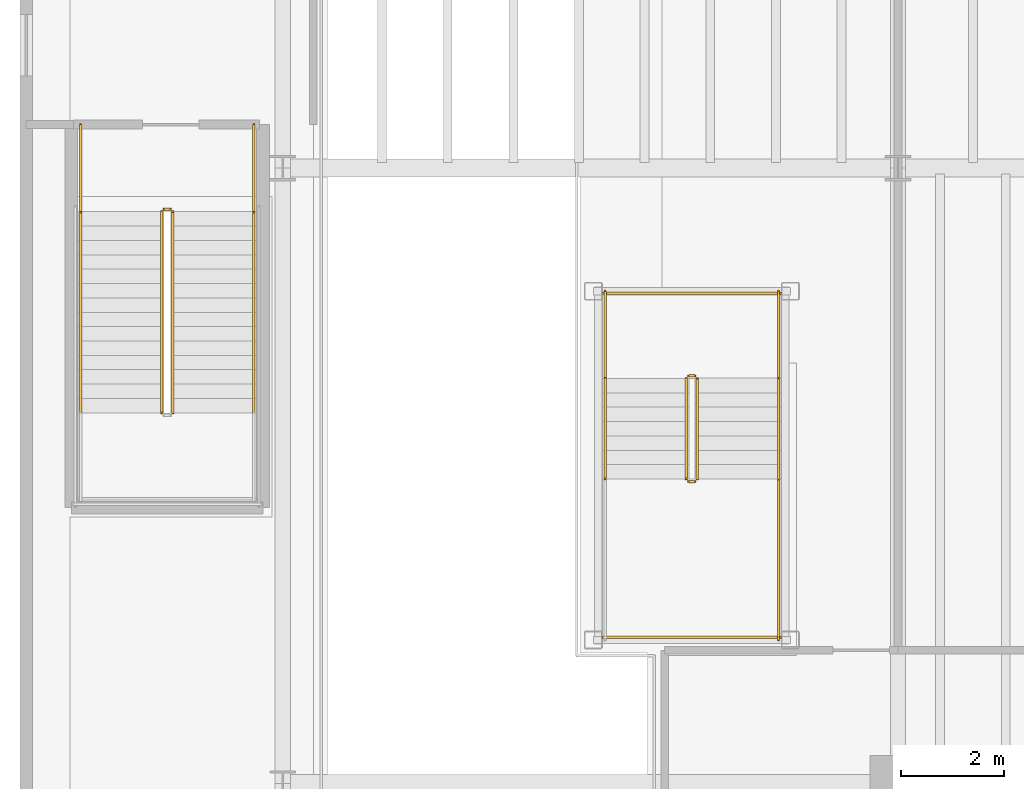
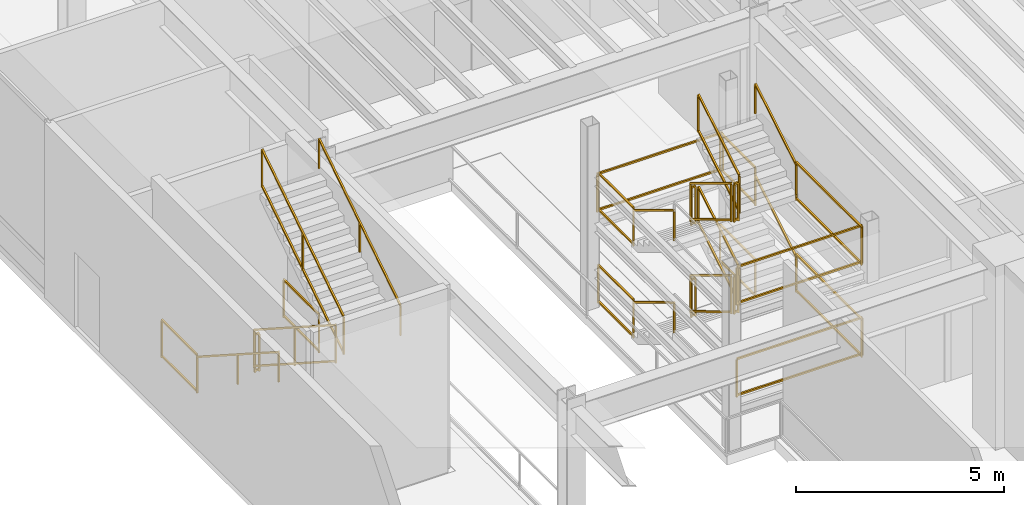
# One storey, part 14 of 17: 28 railings.
"""IFC4 building model written with IfcOpenShell, lengths in metres."""

from ifc_helpers import new_model, si_unit, direction, frame, origin, origin_2d, place, context, subcontext, project, spatial, rectangle, extrude, material, layer, layer_set, type_object, element, save


model = new_model("IFC4")

# Units and contexts
model_context = context("Model", 3, precision=1e-05, world=origin(), true_north=direction((0.0, 1.0)))
body_context = subcontext(model_context, "Body", "Model", "MODEL_VIEW")
ifc_project = project(units=[si_unit("LENGTHUNIT", "METRE"), si_unit("AREAUNIT", "SQUARE_METRE"), si_unit("VOLUMEUNIT", "CUBIC_METRE"), si_unit("PLANEANGLEUNIT", "RADIAN"), si_unit("MASSUNIT", "GRAM", prefix="KILO")], contexts=[model_context])

# Site, building, storey
site_placement = place(None, origin())
site = spatial("IfcSite", under=ifc_project, at=site_placement, CompositionType="ELEMENT")
building_placement = place(site_placement, origin())
building = spatial("IfcBuilding", under=site, at=building_placement, Name="Brelvock Crest Care Tower", CompositionType="ELEMENT")
storey_placement = place(building_placement, origin())
storey = spatial("IfcBuildingStorey", under=building, at=storey_placement, Name="L00", CompositionType="ELEMENT", Elevation=0.0)

# Railings
ifc_material = material(Name="Steel Grade 350", Category="steel")
ifc_layer_1 = layer(ifc_material, 0.050048828125, Name="RL-STG1")
ifc_layer_set_1 = layer_set([ifc_layer_1], Name="Steel Grade 350")
railing_type_1 = type_object("IfcRailingType", Name="RL-STG1", PredefinedType="GUARDRAIL", material=ifc_layer_set_1)
railing_1_placement = place(storey_placement, frame((9.639892578125, 29.14990234375, 0.179931640625)))
element("IfcRailing", 1, at=railing_1_placement, inside=storey, type_object=railing_type_1, Name="L00 ST-3 stair guard 1", PredefinedType="GUARDRAIL", context=body_context, shape_type="SweptSolid", body=[
    extrude(rectangle(XDim=0.048095703125, YDim=0.048095703125, at=origin_2d()), frame((0.0, -0.001708984375, 1.116943359375), z_axis=(0.0, -0.841171666519, 0.540768182723), x_axis=(1.0, 0.0, 0.0)), (0.0, 0.0, 1.0), 4.656005859375),
    extrude(rectangle(XDim=0.048095703125, YDim=0.048095703125, at=origin_2d()), frame((0.0, -0.001708984375, 0.05615234375), z_axis=(0.0, -0.841171666519, 0.540768182723), x_axis=(1.0, 0.0, 0.0)), (0.0, 0.0, 1.0), 4.656005859375),
    extrude(rectangle(XDim=0.0419921875, YDim=0.0419921875, at=origin_2d()), origin(), (0.0, 0.0, 1.0), 1.08984375),
    extrude(rectangle(XDim=0.0419921875, YDim=0.0419921875, at=origin_2d()), frame((0.0, -1.9599609375, 1.260009765625)), (0.0, 0.0, 1.0), 1.08984375),
    extrude(rectangle(XDim=0.0419921875, YDim=0.0419921875, at=origin_2d()), frame((0.0, -3.919921875, 2.52001953125)), (0.0, 0.0, 1.0), 1.08984375),
])
railing_2_placement = place(storey_placement, frame((9.860107421875, 25.22998046875, 2.8798828125)))
element("IfcRailing", 2, at=railing_2_placement, inside=storey, type_object=railing_type_1, Name="L00 ST-3 stair guard 6", PredefinedType="GUARDRAIL", context=body_context, shape_type="SweptSolid", body=[
    extrude(rectangle(XDim=0.048095703125, YDim=0.048095703125, at=origin_2d()), frame((0.0, 0.001708984375, 1.116943359375), z_axis=(0.0, 0.841171666519, 0.540768182723), x_axis=(-1.0, 0.0, 0.0)), (0.0, 0.0, 1.0), 4.656005859375),
    extrude(rectangle(XDim=0.048095703125, YDim=0.048095703125, at=origin_2d()), frame((0.0, 0.001708984375, 0.05615234375), z_axis=(0.0, 0.841171666519, 0.540768182723), x_axis=(-1.0, 0.0, 0.0)), (0.0, 0.0, 1.0), 4.656005859375),
    extrude(rectangle(XDim=0.0419921875, YDim=0.0419921875, at=origin_2d()), origin(), (0.0, 0.0, 1.0), 1.08984375),
    extrude(rectangle(XDim=0.0419921875, YDim=0.0419921875, at=origin_2d()), frame((0.0, 1.9599609375, 1.260009765625)), (0.0, 0.0, 1.0), 1.08984375),
    extrude(rectangle(XDim=0.0419921875, YDim=0.0419921875, at=origin_2d()), frame((0.0, 3.919921875, 2.52001953125)), (0.0, 0.0, 1.0), 1.08984375),
])
railing_3_placement = place(storey_placement, frame((9.68994140625, 29.199951171875, 0.0)))
element("IfcRailing", 3, at=railing_3_placement, inside=storey, type_object=railing_type_1, Name="L00 ST-3 stair guard 7", PredefinedType="GUARDRAIL", context=body_context, shape_type="SweptSolid", body=[
    extrude(rectangle(XDim=0.048095703125, YDim=0.048095703125, at=origin_2d()), frame((0.001953125, 0.0, 1.11572265625), z_axis=(1.0, 0.0, 0.0), x_axis=(0.0, 1.0, 0.0)), (0.0, 0.0, 1.0), 0.1162109375),
    extrude(rectangle(XDim=0.048095703125, YDim=0.048095703125, at=origin_2d()), frame((0.001953125, 0.0, 0.054931640625), z_axis=(1.0, 0.0, 0.0), x_axis=(0.0, 1.0, 0.0)), (0.0, 0.0, 1.0), 0.1162109375),
    extrude(rectangle(XDim=0.0419921875, YDim=0.0419921875, at=origin_2d()), origin(), (0.0, 0.0, 1.0), 1.08984375),
    extrude(rectangle(XDim=0.0419921875, YDim=0.0419921875, at=origin_2d()), frame((0.1201171875, 0.0, 0.0)), (0.0, 0.0, 1.0), 1.08984375),
])
for number, where, name in (
    (4, (8.06005859375, 30.85009765625, 0.0), "L00 ST-3 stair guard 8"),
    (5, (11.43994140625, 30.85009765625, 0.0), "L00 ST-3 stair guard 9"),
):
    element("IfcRailing", number, at=place(storey_placement, frame(where)), inside=storey, type_object=railing_type_1, Name=name, PredefinedType="GUARDRAIL", context=body_context, shape_type="SweptSolid", body=[
        extrude(rectangle(XDim=0.048095703125, YDim=0.048095703125, at=origin_2d()), frame((0.0, -0.001953125, 1.11572265625), z_axis=(0.0, -1.0, 0.0), x_axis=(1.0, 0.0, 0.0)), (0.0, 0.0, 1.0), 1.6962890625),
        extrude(rectangle(XDim=0.048095703125, YDim=0.048095703125, at=origin_2d()), frame((0.0, -0.001953125, 0.054931640625), z_axis=(0.0, -1.0, 0.0), x_axis=(1.0, 0.0, 0.0)), (0.0, 0.0, 1.0), 1.6962890625),
        extrude(rectangle(XDim=0.0419921875, YDim=0.0419921875, at=origin_2d()), origin(), (0.0, 0.0, 1.0), 1.08984375),
        extrude(rectangle(XDim=0.0419921875, YDim=0.0419921875, at=origin_2d()), frame((0.0, -1.7001953125, 0.0)), (0.0, 0.0, 1.0), 1.08984375),
    ])
railing_4_placement = place(storey_placement, frame((19.8701171875, 25.89990234375, 0.168701171875)))
element("IfcRailing", 6, at=railing_4_placement, inside=storey, type_object=railing_type_1, Name="L00 ST-5 stair guard 1", PredefinedType="GUARDRAIL", context=body_context, shape_type="SweptSolid", body=[
    extrude(rectangle(XDim=0.048095703125, YDim=0.048095703125, at=origin_2d()), frame((0.0, -0.001708984375, 1.116943359375), z_axis=(0.0, -0.856446297458, 0.516236127728), x_axis=(1.0, 0.0, 0.0)), (0.0, 0.0, 1.0), 2.284423828125),
    extrude(rectangle(XDim=0.048095703125, YDim=0.048095703125, at=origin_2d()), frame((0.0, -0.001708984375, 0.05615234375), z_axis=(0.0, -0.856446297458, 0.516236127728), x_axis=(1.0, 0.0, 0.0)), (0.0, 0.0, 1.0), 2.284423828125),
    extrude(rectangle(XDim=0.0419921875, YDim=0.0419921875, at=origin_2d()), origin(), (0.0, 0.0, 1.0), 1.08984375),
    extrude(rectangle(XDim=0.0419921875, YDim=0.0419921875, at=origin_2d()), frame((0.0, -1.9599609375, 1.181396484375)), (0.0, 0.0, 1.0), 1.08984375),
])
railing_5_placement = place(storey_placement, frame((19.919921875, 23.889892578125, 1.35009765625)))
element("IfcRailing", 7, at=railing_5_placement, inside=storey, type_object=railing_type_1, Name="L00 ST-5 stair guard 2", PredefinedType="GUARDRAIL", context=body_context, shape_type="SweptSolid", body=[
    extrude(rectangle(XDim=0.048095703125, YDim=0.048095703125, at=origin_2d()), frame((0.001953125, 0.0, 1.11572265625), z_axis=(1.0, 0.0, 0.0), x_axis=(0.0, 1.0, 0.0)), (0.0, 0.0, 1.0), 0.1162109375),
    extrude(rectangle(XDim=0.048095703125, YDim=0.048095703125, at=origin_2d()), frame((0.001953125, 0.0, 0.054931640625), z_axis=(1.0, 0.0, 0.0), x_axis=(0.0, 1.0, 0.0)), (0.0, 0.0, 1.0), 0.1162109375),
    extrude(rectangle(XDim=0.0419921875, YDim=0.0419921875, at=origin_2d()), origin(), (0.0, 0.0, 1.0), 1.08984375),
    extrude(rectangle(XDim=0.0419921875, YDim=0.0419921875, at=origin_2d()), frame((0.1201171875, 0.0, 0.0)), (0.0, 0.0, 1.0), 1.08984375),
])
railing_6_placement = place(storey_placement, frame((21.669921875, 23.93994140625, 1.35009765625)))
element("IfcRailing", 8, at=railing_6_placement, inside=storey, type_object=railing_type_1, Name="L00 ST-5 stair guard 4", PredefinedType="GUARDRAIL", context=body_context, shape_type="SweptSolid", body=[
    extrude(rectangle(XDim=0.048095703125, YDim=0.048095703125, at=origin_2d()), frame((0.0, -0.001953125, 1.11572265625), z_axis=(0.0, -1.0, 0.0), x_axis=(1.0, 0.0, 0.0)), (0.0, 0.0, 1.0), 3.135986328125),
    extrude(rectangle(XDim=0.048095703125, YDim=0.048095703125, at=origin_2d()), frame((0.0, -0.001953125, 0.054931640625), z_axis=(0.0, -1.0, 0.0), x_axis=(1.0, 0.0, 0.0)), (0.0, 0.0, 1.0), 3.135986328125),
    extrude(rectangle(XDim=0.0419921875, YDim=0.0419921875, at=origin_2d()), origin(), (0.0, 0.0, 1.0), 1.08984375),
    extrude(rectangle(XDim=0.0419921875, YDim=0.0419921875, at=origin_2d()), frame((0.0, -3.139892578125, 0.0)), (0.0, 0.0, 1.0), 1.08984375),
])
railing_7_placement = place(storey_placement, frame((18.239990234375, 20.85009765625, 1.35009765625)))
element("IfcRailing", 9, at=railing_7_placement, inside=storey, type_object=railing_type_1, Name="L00 ST-5 stair guard 5", PredefinedType="GUARDRAIL", context=body_context, shape_type="SweptSolid", body=[
    extrude(rectangle(XDim=0.048095703125, YDim=0.048095703125, at=origin_2d()), frame((0.001953125, 0.0, 1.11572265625), z_axis=(1.0, 0.0, 0.0), x_axis=(0.0, 1.0, 0.0)), (0.0, 0.0, 1.0), 3.47607421875),
    extrude(rectangle(XDim=0.048095703125, YDim=0.048095703125, at=origin_2d()), frame((0.001953125, 0.0, 0.054931640625), z_axis=(1.0, 0.0, 0.0), x_axis=(0.0, 1.0, 0.0)), (0.0, 0.0, 1.0), 3.47607421875),
    extrude(rectangle(XDim=0.0419921875, YDim=0.0419921875, at=origin_2d()), origin(), (0.0, 0.0, 1.0), 1.08984375),
    extrude(rectangle(XDim=0.0419921875, YDim=0.0419921875, at=origin_2d()), frame((3.47998046875, 0.0, 0.0)), (0.0, 0.0, 1.0), 1.08984375),
])
railing_8_placement = place(storey_placement, frame((20.090087890625, 23.93994140625, 1.518798828125)))
element("IfcRailing", 10, at=railing_8_placement, inside=storey, type_object=railing_type_1, Name="L00 ST-5 stair guard 6", PredefinedType="GUARDRAIL", context=body_context, shape_type="SweptSolid", body=[
    extrude(rectangle(XDim=0.048095703125, YDim=0.048095703125, at=origin_2d()), frame((0.0, 0.001708984375, 1.116943359375), z_axis=(0.0, 0.856493463811, 0.516157869696), x_axis=(-1.0, 0.0, 0.0)), (0.0, 0.0, 1.0), 2.284423828125),
    extrude(rectangle(XDim=0.048095703125, YDim=0.048095703125, at=origin_2d()), frame((0.0, 0.001708984375, 0.05615234375), z_axis=(0.0, 0.856493463811, 0.516157869696), x_axis=(-1.0, 0.0, 0.0)), (0.0, 0.0, 1.0), 2.284423828125),
    extrude(rectangle(XDim=0.0419921875, YDim=0.0419921875, at=origin_2d()), origin(), (0.0, 0.0, 1.0), 1.08984375),
    extrude(rectangle(XDim=0.0419921875, YDim=0.0419921875, at=origin_2d()), frame((0.0, 1.9599609375, 1.18115234375)), (0.0, 0.0, 1.0), 1.08984375),
])
railing_9_placement = place(storey_placement, frame((19.919921875, 25.949951171875, 2.699951171875)))
element("IfcRailing", 11, at=railing_9_placement, inside=storey, type_object=railing_type_1, Name="L00 ST-5 stair guard 7", PredefinedType="GUARDRAIL", context=body_context, shape_type="SweptSolid", body=[
    extrude(rectangle(XDim=0.048095703125, YDim=0.048095703125, at=origin_2d()), frame((0.001953125, 0.0, 1.11572265625), z_axis=(1.0, 0.0, 0.0), x_axis=(0.0, 1.0, 0.0)), (0.0, 0.0, 1.0), 0.1162109375),
    extrude(rectangle(XDim=0.048095703125, YDim=0.048095703125, at=origin_2d()), frame((0.001953125, 0.0, 0.054931640625), z_axis=(1.0, 0.0, 0.0), x_axis=(0.0, 1.0, 0.0)), (0.0, 0.0, 1.0), 0.1162109375),
    extrude(rectangle(XDim=0.0419921875, YDim=0.0419921875, at=origin_2d()), origin(), (0.0, 0.0, 1.0), 1.08984375),
    extrude(rectangle(XDim=0.0419921875, YDim=0.0419921875, at=origin_2d()), frame((0.1201171875, 0.0, 0.0)), (0.0, 0.0, 1.0), 1.08984375),
])
for number, where, name in (
    (12, (18.2900390625, 27.60009765625, 2.699951171875), "L00 ST-5 stair guard 8"),
    (13, (21.669921875, 27.60009765625, 2.699951171875), "L00 ST-5 stair guard 9"),
):
    element("IfcRailing", number, at=place(storey_placement, frame(where)), inside=storey, type_object=railing_type_1, Name=name, PredefinedType="GUARDRAIL", context=body_context, shape_type="SweptSolid", body=[
        extrude(rectangle(XDim=0.048095703125, YDim=0.048095703125, at=origin_2d()), frame((0.0, -0.001953125, 1.11572265625), z_axis=(0.0, -1.0, 0.0), x_axis=(1.0, 0.0, 0.0)), (0.0, 0.0, 1.0), 1.6962890625),
        extrude(rectangle(XDim=0.048095703125, YDim=0.048095703125, at=origin_2d()), frame((0.0, -0.001953125, 0.054931640625), z_axis=(0.0, -1.0, 0.0), x_axis=(1.0, 0.0, 0.0)), (0.0, 0.0, 1.0), 1.6962890625),
        extrude(rectangle(XDim=0.0419921875, YDim=0.0419921875, at=origin_2d()), origin(), (0.0, 0.0, 1.0), 1.08984375),
        extrude(rectangle(XDim=0.0419921875, YDim=0.0419921875, at=origin_2d()), frame((0.0, -1.7001953125, 0.0)), (0.0, 0.0, 1.0), 1.08984375),
    ])
railing_10_placement = place(storey_placement, frame((19.8701171875, 25.89990234375, 2.86865234375)))
element("IfcRailing", 14, at=railing_10_placement, inside=storey, type_object=railing_type_1, Name="L00 ST-5 stair guard 10", PredefinedType="GUARDRAIL", context=body_context, shape_type="SweptSolid", body=[
    extrude(rectangle(XDim=0.048095703125, YDim=0.048095703125, at=origin_2d()), frame((0.0, -0.001708984375, 1.116943359375), z_axis=(0.0, -0.856446297458, 0.516236127728), x_axis=(1.0, 0.0, 0.0)), (0.0, 0.0, 1.0), 2.284423828125),
    extrude(rectangle(XDim=0.048095703125, YDim=0.048095703125, at=origin_2d()), frame((0.0, -0.001708984375, 0.05615234375), z_axis=(0.0, -0.856446297458, 0.516236127728), x_axis=(1.0, 0.0, 0.0)), (0.0, 0.0, 1.0), 2.284423828125),
    extrude(rectangle(XDim=0.0419921875, YDim=0.0419921875, at=origin_2d()), origin(), (0.0, 0.0, 1.0), 1.08984375),
    extrude(rectangle(XDim=0.0419921875, YDim=0.0419921875, at=origin_2d()), frame((0.0, -1.9599609375, 1.181396484375)), (0.0, 0.0, 1.0), 1.08984375),
])
railing_11_placement = place(storey_placement, frame((19.919921875, 23.889892578125, 4.050048828125)))
element("IfcRailing", 15, at=railing_11_placement, inside=storey, type_object=railing_type_1, Name="L00 ST-5 stair guard 11", PredefinedType="GUARDRAIL", context=body_context, shape_type="SweptSolid", body=[
    extrude(rectangle(XDim=0.048095703125, YDim=0.048095703125, at=origin_2d()), frame((0.001953125, 0.0, 1.11572265625), z_axis=(1.0, 0.0, 0.0), x_axis=(0.0, 1.0, 0.0)), (0.0, 0.0, 1.0), 0.1162109375),
    extrude(rectangle(XDim=0.048095703125, YDim=0.048095703125, at=origin_2d()), frame((0.001953125, 0.0, 0.054931640625), z_axis=(1.0, 0.0, 0.0), x_axis=(0.0, 1.0, 0.0)), (0.0, 0.0, 1.0), 0.1162109375),
    extrude(rectangle(XDim=0.0419921875, YDim=0.0419921875, at=origin_2d()), origin(), (0.0, 0.0, 1.0), 1.08984375),
    extrude(rectangle(XDim=0.0419921875, YDim=0.0419921875, at=origin_2d()), frame((0.1201171875, 0.0, 0.0)), (0.0, 0.0, 1.0), 1.08984375),
])
railing_12_placement = place(storey_placement, frame((21.669921875, 23.93994140625, 4.050048828125)))
element("IfcRailing", 16, at=railing_12_placement, inside=storey, type_object=railing_type_1, Name="L00 ST-5 stair guard 13", PredefinedType="GUARDRAIL", context=body_context, shape_type="SweptSolid", body=[
    extrude(rectangle(XDim=0.048095703125, YDim=0.048095703125, at=origin_2d()), frame((0.0, -0.001953125, 1.11572265625), z_axis=(0.0, -1.0, 0.0), x_axis=(1.0, 0.0, 0.0)), (0.0, 0.0, 1.0), 3.135986328125),
    extrude(rectangle(XDim=0.048095703125, YDim=0.048095703125, at=origin_2d()), frame((0.0, -0.001953125, 0.054931640625), z_axis=(0.0, -1.0, 0.0), x_axis=(1.0, 0.0, 0.0)), (0.0, 0.0, 1.0), 3.135986328125),
    extrude(rectangle(XDim=0.0419921875, YDim=0.0419921875, at=origin_2d()), origin(), (0.0, 0.0, 1.0), 1.08984375),
    extrude(rectangle(XDim=0.0419921875, YDim=0.0419921875, at=origin_2d()), frame((0.0, -3.139892578125, 0.0)), (0.0, 0.0, 1.0), 1.08984375),
])
railing_13_placement = place(storey_placement, frame((18.239990234375, 20.85009765625, 4.050048828125)))
element("IfcRailing", 17, at=railing_13_placement, inside=storey, type_object=railing_type_1, Name="L00 ST-5 stair guard 14", PredefinedType="GUARDRAIL", context=body_context, shape_type="SweptSolid", body=[
    extrude(rectangle(XDim=0.048095703125, YDim=0.048095703125, at=origin_2d()), frame((0.001953125, 0.0, 1.11572265625), z_axis=(1.0, 0.0, 0.0), x_axis=(0.0, 1.0, 0.0)), (0.0, 0.0, 1.0), 3.47607421875),
    extrude(rectangle(XDim=0.048095703125, YDim=0.048095703125, at=origin_2d()), frame((0.001953125, 0.0, 0.054931640625), z_axis=(1.0, 0.0, 0.0), x_axis=(0.0, 1.0, 0.0)), (0.0, 0.0, 1.0), 3.47607421875),
    extrude(rectangle(XDim=0.0419921875, YDim=0.0419921875, at=origin_2d()), origin(), (0.0, 0.0, 1.0), 1.08984375),
    extrude(rectangle(XDim=0.0419921875, YDim=0.0419921875, at=origin_2d()), frame((3.47998046875, 0.0, 0.0)), (0.0, 0.0, 1.0), 1.08984375),
])
railing_14_placement = place(storey_placement, frame((20.090087890625, 23.93994140625, 4.21875)))
element("IfcRailing", 18, at=railing_14_placement, inside=storey, type_object=railing_type_1, Name="L00 ST-5 stair guard 15", PredefinedType="GUARDRAIL", context=body_context, shape_type="SweptSolid", body=[
    extrude(rectangle(XDim=0.048095703125, YDim=0.048095703125, at=origin_2d()), frame((0.0, 0.001708984375, 1.116943359375), z_axis=(0.0, 0.856493463811, 0.516157869696), x_axis=(-1.0, 0.0, 0.0)), (0.0, 0.0, 1.0), 2.284423828125),
    extrude(rectangle(XDim=0.048095703125, YDim=0.048095703125, at=origin_2d()), frame((0.0, 0.001708984375, 0.05615234375), z_axis=(0.0, 0.856493463811, 0.516157869696), x_axis=(-1.0, 0.0, 0.0)), (0.0, 0.0, 1.0), 2.284423828125),
    extrude(rectangle(XDim=0.0419921875, YDim=0.0419921875, at=origin_2d()), origin(), (0.0, 0.0, 1.0), 1.08984375),
    extrude(rectangle(XDim=0.0419921875, YDim=0.0419921875, at=origin_2d()), frame((0.0, 1.9599609375, 1.18115234375)), (0.0, 0.0, 1.0), 1.08984375),
])
railing_15_placement = place(storey_placement, frame((19.919921875, 25.949951171875, 0.0)))
element("IfcRailing", 19, at=railing_15_placement, inside=storey, type_object=railing_type_1, Name="L00 ST-5 stair guard 16", PredefinedType="GUARDRAIL", context=body_context, shape_type="SweptSolid", body=[
    extrude(rectangle(XDim=0.048095703125, YDim=0.048095703125, at=origin_2d()), frame((0.001953125, 0.0, 1.11572265625), z_axis=(1.0, 0.0, 0.0), x_axis=(0.0, 1.0, 0.0)), (0.0, 0.0, 1.0), 0.1162109375),
    extrude(rectangle(XDim=0.048095703125, YDim=0.048095703125, at=origin_2d()), frame((0.001953125, 0.0, 0.054931640625), z_axis=(1.0, 0.0, 0.0), x_axis=(0.0, 1.0, 0.0)), (0.0, 0.0, 1.0), 0.1162109375),
    extrude(rectangle(XDim=0.0419921875, YDim=0.0419921875, at=origin_2d()), origin(), (0.0, 0.0, 1.0), 1.08984375),
    extrude(rectangle(XDim=0.0419921875, YDim=0.0419921875, at=origin_2d()), frame((0.1201171875, 0.0, 0.0)), (0.0, 0.0, 1.0), 1.08984375),
])
for number, where, name in (
    (20, (18.2900390625, 27.60009765625, 0.0), "L00 ST-5 stair guard 17"),
    (21, (21.669921875, 27.60009765625, 0.0), "L00 ST-5 stair guard 18"),
):
    element("IfcRailing", number, at=place(storey_placement, frame(where)), inside=storey, type_object=railing_type_1, Name=name, PredefinedType="GUARDRAIL", context=body_context, shape_type="SweptSolid", body=[
        extrude(rectangle(XDim=0.048095703125, YDim=0.048095703125, at=origin_2d()), frame((0.0, -0.001953125, 1.11572265625), z_axis=(0.0, -1.0, 0.0), x_axis=(1.0, 0.0, 0.0)), (0.0, 0.0, 1.0), 1.6962890625),
        extrude(rectangle(XDim=0.048095703125, YDim=0.048095703125, at=origin_2d()), frame((0.0, -0.001953125, 0.054931640625), z_axis=(0.0, -1.0, 0.0), x_axis=(1.0, 0.0, 0.0)), (0.0, 0.0, 1.0), 1.6962890625),
        extrude(rectangle(XDim=0.0419921875, YDim=0.0419921875, at=origin_2d()), origin(), (0.0, 0.0, 1.0), 1.08984375),
        extrude(rectangle(XDim=0.0419921875, YDim=0.0419921875, at=origin_2d()), frame((0.0, -1.7001953125, 0.0)), (0.0, 0.0, 1.0), 1.08984375),
    ])
railing_16_placement = place(storey_placement, frame((18.239990234375, 27.56005859375, 2.705078125)))
element("IfcRailing", 22, at=railing_16_placement, inside=storey, type_object=railing_type_1, Name="L00 Feature Stair ST-5 Mid-Landing Guard", PredefinedType="GUARDRAIL", context=body_context, shape_type="SweptSolid", body=[
    extrude(rectangle(XDim=0.048095703125, YDim=0.048095703125, at=origin_2d()), frame((0.001953125, 0.0, 1.11572265625), z_axis=(1.0, 0.0, 0.0), x_axis=(0.0, 1.0, 0.0)), (0.0, 0.0, 1.0), 3.47607421875),
    extrude(rectangle(XDim=0.048095703125, YDim=0.048095703125, at=origin_2d()), frame((0.001953125, 0.0, 0.054931640625), z_axis=(1.0, 0.0, 0.0), x_axis=(0.0, 1.0, 0.0)), (0.0, 0.0, 1.0), 3.47607421875),
    extrude(rectangle(XDim=0.0419921875, YDim=0.0419921875, at=origin_2d()), origin(), (0.0, 0.0, 1.0), 1.08984375),
    extrude(rectangle(XDim=0.0419921875, YDim=0.0419921875, at=origin_2d()), frame((3.47998046875, 0.0, 0.0)), (0.0, 0.0, 1.0), 1.08984375),
])
ifc_layer_2 = layer(ifc_material, 0.048095703125, Name="RL-STH1")
ifc_layer_set_2 = layer_set([ifc_layer_2], Name="Steel Grade 350")
railing_type_2 = type_object("IfcRailingType", Name="RL-STH1", PredefinedType="HANDRAIL", material=ifc_layer_set_2)
railing_17_placement = place(storey_placement, frame((8.06005859375, 29.14990234375, 0.179931640625)))
element("IfcRailing", 23, at=railing_17_placement, inside=storey, type_object=railing_type_2, Name="L00 ST-3 stair handrail 1", PredefinedType="HANDRAIL", context=body_context, shape_type="SweptSolid", body=[
    extrude(rectangle(XDim=0.048095703125, YDim=0.048095703125, at=origin_2d()), frame((0.0, -0.001708984375, 0.876953125), z_axis=(0.0, -0.841171666519, 0.540768182723), x_axis=(1.0, 0.0, 0.0)), (0.0, 0.0, 1.0), 4.656005859375),
    extrude(rectangle(XDim=0.0419921875, YDim=0.0419921875, at=origin_2d()), origin(), (0.0, 0.0, 1.0), 0.849853515625),
    extrude(rectangle(XDim=0.0419921875, YDim=0.0419921875, at=origin_2d()), frame((0.0, -1.9599609375, 1.260009765625)), (0.0, 0.0, 1.0), 0.849853515625),
    extrude(rectangle(XDim=0.0419921875, YDim=0.0419921875, at=origin_2d()), frame((0.0, -3.919921875, 2.52001953125)), (0.0, 0.0, 1.0), 0.849853515625),
])
railing_18_placement = place(storey_placement, frame((11.43994140625, 25.22998046875, 2.8798828125)))
element("IfcRailing", 24, at=railing_18_placement, inside=storey, type_object=railing_type_2, Name="L00 ST-3 stair handrail 2", PredefinedType="HANDRAIL", context=body_context, shape_type="SweptSolid", body=[
    extrude(rectangle(XDim=0.048095703125, YDim=0.048095703125, at=origin_2d()), frame((0.0, 0.001708984375, 0.876953125), z_axis=(0.0, 0.841171666519, 0.540768182723), x_axis=(-1.0, 0.0, 0.0)), (0.0, 0.0, 1.0), 4.656005859375),
    extrude(rectangle(XDim=0.0419921875, YDim=0.0419921875, at=origin_2d()), origin(), (0.0, 0.0, 1.0), 0.849853515625),
    extrude(rectangle(XDim=0.0419921875, YDim=0.0419921875, at=origin_2d()), frame((0.0, 1.9599609375, 1.260009765625)), (0.0, 0.0, 1.0), 0.849853515625),
    extrude(rectangle(XDim=0.0419921875, YDim=0.0419921875, at=origin_2d()), frame((0.0, 3.919921875, 2.52001953125)), (0.0, 0.0, 1.0), 0.849853515625),
])
railing_19_placement = place(storey_placement, frame((18.2900390625, 25.89990234375, 0.168701171875)))
element("IfcRailing", 25, at=railing_19_placement, inside=storey, type_object=railing_type_2, Name="L00 ST-5 stair handrail 1", PredefinedType="HANDRAIL", context=body_context, shape_type="SweptSolid", body=[
    extrude(rectangle(XDim=0.048095703125, YDim=0.048095703125, at=origin_2d()), frame((0.0, -0.001708984375, 0.876953125), z_axis=(0.0, -0.856446297458, 0.516236127728), x_axis=(1.0, 0.0, 0.0)), (0.0, 0.0, 1.0), 2.284423828125),
    extrude(rectangle(XDim=0.0419921875, YDim=0.0419921875, at=origin_2d()), origin(), (0.0, 0.0, 1.0), 0.849853515625),
    extrude(rectangle(XDim=0.0419921875, YDim=0.0419921875, at=origin_2d()), frame((0.0, -1.9599609375, 1.181396484375)), (0.0, 0.0, 1.0), 0.849853515625),
])
railing_20_placement = place(storey_placement, frame((21.669921875, 23.93994140625, 1.518798828125)))
element("IfcRailing", 26, at=railing_20_placement, inside=storey, type_object=railing_type_2, Name="L00 ST-5 stair handrail 2", PredefinedType="HANDRAIL", context=body_context, shape_type="SweptSolid", body=[
    extrude(rectangle(XDim=0.048095703125, YDim=0.048095703125, at=origin_2d()), frame((0.0, 0.001708984375, 0.876953125), z_axis=(0.0, 0.856493463811, 0.516157869696), x_axis=(-1.0, 0.0, 0.0)), (0.0, 0.0, 1.0), 2.284423828125),
    extrude(rectangle(XDim=0.0419921875, YDim=0.0419921875, at=origin_2d()), origin(), (0.0, 0.0, 1.0), 0.849853515625),
    extrude(rectangle(XDim=0.0419921875, YDim=0.0419921875, at=origin_2d()), frame((0.0, 1.9599609375, 1.18115234375)), (0.0, 0.0, 1.0), 0.849853515625),
])
railing_21_placement = place(storey_placement, frame((18.2900390625, 25.89990234375, 2.86865234375)))
element("IfcRailing", 27, at=railing_21_placement, inside=storey, type_object=railing_type_2, Name="L00 ST-5 stair handrail 3", PredefinedType="HANDRAIL", context=body_context, shape_type="SweptSolid", body=[
    extrude(rectangle(XDim=0.048095703125, YDim=0.048095703125, at=origin_2d()), frame((0.0, -0.001708984375, 0.876953125), z_axis=(0.0, -0.856446297458, 0.516236127728), x_axis=(1.0, 0.0, 0.0)), (0.0, 0.0, 1.0), 2.284423828125),
    extrude(rectangle(XDim=0.0419921875, YDim=0.0419921875, at=origin_2d()), origin(), (0.0, 0.0, 1.0), 0.849853515625),
    extrude(rectangle(XDim=0.0419921875, YDim=0.0419921875, at=origin_2d()), frame((0.0, -1.9599609375, 1.181396484375)), (0.0, 0.0, 1.0), 0.849853515625),
])
railing_22_placement = place(storey_placement, frame((21.669921875, 23.93994140625, 4.21875)))
element("IfcRailing", 28, at=railing_22_placement, inside=storey, type_object=railing_type_2, Name="L00 ST-5 stair handrail 4", PredefinedType="HANDRAIL", context=body_context, shape_type="SweptSolid", body=[
    extrude(rectangle(XDim=0.048095703125, YDim=0.048095703125, at=origin_2d()), frame((0.0, 0.001708984375, 0.876953125), z_axis=(0.0, 0.856493463811, 0.516157869696), x_axis=(-1.0, 0.0, 0.0)), (0.0, 0.0, 1.0), 2.284423828125),
    extrude(rectangle(XDim=0.0419921875, YDim=0.0419921875, at=origin_2d()), origin(), (0.0, 0.0, 1.0), 0.849853515625),
    extrude(rectangle(XDim=0.0419921875, YDim=0.0419921875, at=origin_2d()), frame((0.0, 1.9599609375, 1.18115234375)), (0.0, 0.0, 1.0), 0.849853515625),
])

save(model, "model.ifc")
